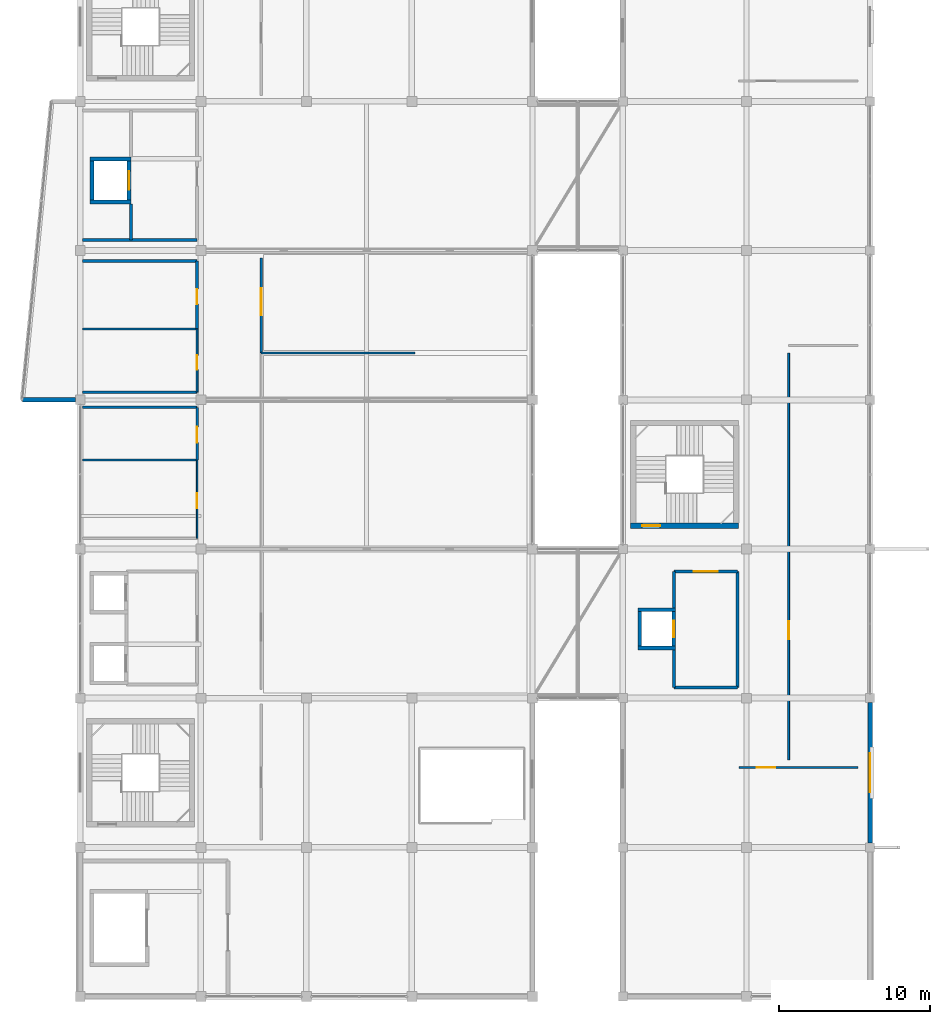
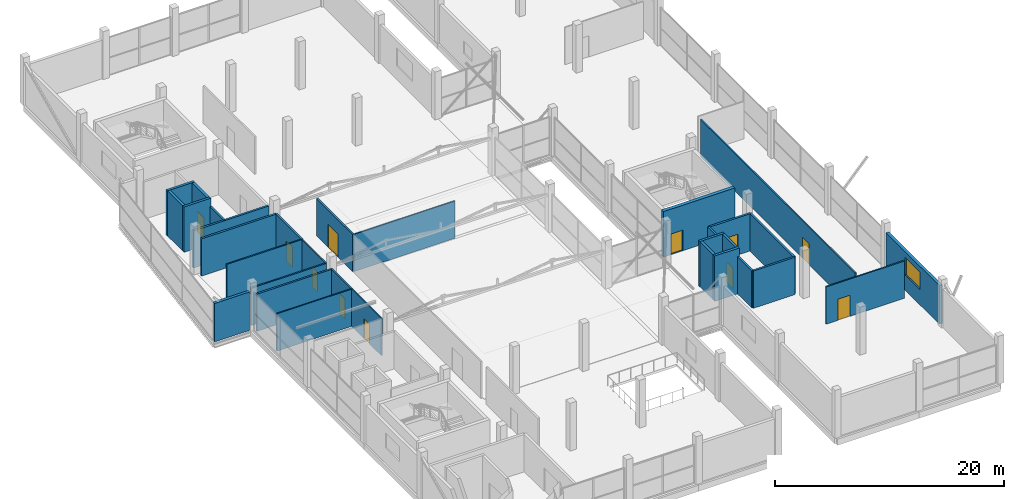
# One storey, part 48 of 58: 31 walls, 11 doors, 1 window, 12 openings.
"""IFC4 building model written with IfcOpenShell, lengths in metres."""

from ifc_helpers import new_model, si_unit, direction, frame, frame_2d, origin, place, context, subcontext, project, spatial, rectangle, extrude, material, layer, layer_set, type_object, element, fill, save


model = new_model("IFC4")

# Units and contexts
model_context = context("Model", 3, precision=1e-05, world=origin(), true_north=direction((0.0, 1.0)))
body_context = subcontext(model_context, "Body", "Model", "MODEL_VIEW")
ifc_project = project(units=[si_unit("LENGTHUNIT", "METRE"), si_unit("AREAUNIT", "SQUARE_METRE"), si_unit("VOLUMEUNIT", "CUBIC_METRE"), si_unit("PLANEANGLEUNIT", "RADIAN"), si_unit("MASSUNIT", "GRAM", prefix="KILO")], contexts=[model_context])

# Site, building, storey
site_placement = place(None, origin())
site = spatial("IfcSite", under=ifc_project, at=site_placement, CompositionType="ELEMENT")
building_placement = place(site_placement, origin())
building = spatial("IfcBuilding", under=site, at=building_placement, Name="Sillaruma Civic Art Gallery", CompositionType="ELEMENT")
storey_placement = place(building_placement, frame((0.0, 0.0, 52.02001953125)))
storey = spatial("IfcBuildingStorey", under=building, at=storey_placement, Name="L10", CompositionType="ELEMENT", Elevation=52.02001953125)

# Wall, opening, door
ifc_material_1 = material(Name="Concrete H40 (40 MPa)", Category="concrete")
ifc_layer_1 = layer(ifc_material_1, 0.35009765625, Name="Concrete H40 (40 MPa)")
ifc_layer_set_1 = layer_set([ifc_layer_1], Name="Concrete H40 (40 MPa)")
wall_type_1 = type_object("IfcWallType", Name="WAL-CORE-350", PredefinedType="SHEAR", material=ifc_layer_set_1)
wall_1_placement = place(storey_placement, frame((98.510009765625, 51.034912109375, 0.0), z_axis=(0.0, 0.0, 1.0), x_axis=(1.0, 0.0, 0.0)))
wall_1 = element("IfcWall", 1, at=wall_1_placement, inside=storey, type_object=wall_type_1, Name="Stair Core Shear Wall W-CORE-350 (ST-04:L10:S)", PredefinedType="SHEAR", context=body_context, shape_type="SweptSolid", body=[
    extrude(rectangle(XDim=7.179931640625, YDim=0.35009765625, at=frame_2d((3.58984375, 0.0))), origin(), (0.0, 0.0, 1.0), 4.85009765625),
])
opening_1_placement = place(wall_1_placement, frame((0.77001953125, 0.0, 0.0)))
opening_1 = element("IfcOpeningElement", 2, at=opening_1_placement, cuts=wall_1, Name="Opening D-STAIR", PredefinedType="OPENING", context=body_context, shape_type="SweptSolid", body=[
    extrude(rectangle(XDim=1.199951171875, YDim=2.199951171875, at=frame_2d((0.60009765625, 1.10009765625))), frame((0.0, 0.18505859375, 0.0), z_axis=(0.0, -1.0, 0.0), x_axis=(1.0, 0.0, 0.0)), (0.0, 0.0, 1.0), 0.3701171875),
])
ifc_material_2 = material(Name="Galvanised Steel ASTM A653 Gr.50", Category="steel")
door_type_1 = type_object("IfcDoorType", Name="DOR-STAIR-120", OperationType="NOTDEFINED", PredefinedType="DOOR", material=ifc_material_2)
door_1_placement = place(opening_1_placement, origin())
door_1 = element("IfcDoor", 3, at=door_1_placement, inside=storey, type_object=door_type_1, Name="Protected Stair Fire Door (ST-04:L10)", OperationType="SINGLE_SWING_RIGHT", OverallHeight=2.199951171875, OverallWidth=1.199951171875, PredefinedType="DOOR", context=body_context, shape_type="SweptSolid", body=[
    extrude(rectangle(XDim=1.199951171875, YDim=2.199951171875, at=frame_2d((0.60009765625, 1.10009765625))), frame((0.0, 0.02490234375, 0.0), z_axis=(0.0, -1.0, 0.0), x_axis=(1.0, 0.0, 0.0)), (0.0, 0.0, 1.0), 0.050048828125),
])
fill(opening_1, door_1)

# Wall
ifc_material_3 = material(Name="Concrete H35 (35 MPa)", Category="concrete")
ifc_layer_2 = layer(ifc_material_3, 0.159912109375, Name="Concrete backup", Category="concrete")
ifc_material_4 = material(Name="Mineral Wool Thermal Insulation", Category="insulation")
ifc_layer_3 = layer(ifc_material_4, 0.090087890625, Name="Thermal insulation", Category="insulation")
ifc_material_5 = material(Name="Anodised Zinc-Aluminium Alloy", Category="aluminium")
ifc_layer_4 = layer(ifc_material_5, 0.030029296875, Name="Rainscreen finish", Category="aluminium")
ifc_layer_set_2 = layer_set([ifc_layer_2, ifc_layer_3, ifc_layer_4], Name="W-EXT-280")
wall_type_2 = type_object("IfcWallType", Name="WAL-EXT-280", PredefinedType="SOLIDWALL", material=ifc_layer_set_2)
wall_2_placement = place(storey_placement, frame((58.14990234375, 59.39990234375, 0.0), z_axis=(0.0, 0.0, 1.0), x_axis=(1.0, 0.0, 0.0)))
element("IfcWall", 4, at=wall_2_placement, inside=storey, type_object=wall_type_2, Name="Exterior Wall W-EXT-280 (EW-PRW-L10-W-S3)", PredefinedType="SOLIDWALL", context=body_context, shape_type="SweptSolid", body=[
    extrude(rectangle(XDim=3.525146484375, YDim=0.280029296875, at=frame_2d((1.7626953125, 0.0))), origin(), (0.0, 0.0, 1.0), 4.10009765625),
])

# Wall, opening, window
ifc_material_6 = material(Name="Precast Concrete H35 (35 MPa)", Category="concrete")
ifc_layer_5 = layer(ifc_material_6, 0.179931640625, Name="Precast backup", Category="concrete")
ifc_layer_6 = layer(ifc_material_4, 0.090087890625, Name="Thermal insulation", Category="insulation")
ifc_material_7 = material(Name="Comanche Granitic Ashlar Stone", Category="masonry")
ifc_layer_7 = layer(ifc_material_7, 0.030029296875, Name="Rainscreen cladding", Category="masonry")
ifc_layer_set_3 = layer_set([ifc_layer_5, ifc_layer_6, ifc_layer_7], Name="W-EXT-300")
wall_type_3 = type_object("IfcWallType", Name="WAL-EXT-300", PredefinedType="SOLIDWALL", material=ifc_layer_set_3)
wall_3_placement = place(storey_placement, frame((114.39990234375, 30.0, 0.0), z_axis=(0.0, 0.0, 1.0), x_axis=(0.0, 1.0, 0.0)))
wall_3 = element("IfcWall", 5, at=wall_3_placement, inside=storey, type_object=wall_type_3, Name="Exterior Wall W-EXT-300 (EW-L10-EBE-2)", PredefinedType="SOLIDWALL", context=body_context, shape_type="SweptSolid", body=[
    extrude(rectangle(XDim=9.300048828125, YDim=0.300048828125, at=frame_2d((4.64990234375, 0.0))), origin(), (0.0, 0.0, 1.0), 4.10009765625),
])
opening_2_placement = place(wall_3_placement, frame((3.35009765625, 0.0, 1.64990234375)))
opening_2 = element("IfcOpeningElement", 6, at=opening_2_placement, cuts=wall_3, Name="Opening WN-08", PredefinedType="OPENING", context=body_context, shape_type="SweptSolid", body=[
    extrude(rectangle(XDim=2.60009765625, YDim=1.85009765625, at=frame_2d((1.300048828125, 0.925048828125))), frame((0.0, 0.159912109375, 0.0), z_axis=(0.0, -1.0, 0.0), x_axis=(1.0, 0.0, 0.0)), (0.0, 0.0, 1.0), 0.320068359375),
])
ifc_material_8 = material(Name="Thermally Broken Extruded Aluminium 6063-T6", Category="aluminium")
window_type = type_object("IfcWindowType", Name="WIN-W08", PartitioningType="SINGLE_PANEL", PredefinedType="WINDOW", material=ifc_material_8)
window_placement = place(opening_2_placement, origin())
window = element("IfcWindow", 7, at=window_placement, inside=storey, type_object=window_type, Name="Window WN-08 (EW-L10-EBE-2-1)", OverallHeight=1.85009765625, OverallWidth=2.60009765625, PartitioningType="SINGLE_PANEL", PredefinedType="WINDOW", context=body_context, shape_type="SweptSolid", body=[
    extrude(rectangle(XDim=2.60009765625, YDim=1.85009765625, at=frame_2d((1.300048828125, 0.925048828125))), frame((0.0, 0.030029296875, 0.0), z_axis=(0.0, -1.0, 0.0), x_axis=(1.0, 0.0, 0.0)), (0.0, 0.0, 1.0), 0.06005859375),
])
fill(opening_2, window)

# Walls
ifc_material_9 = material(Name="Concrete Masonry Unit Grade M15", Category="masonry")
ifc_layer_8 = layer(ifc_material_9, 0.199951171875, Name="Concrete Masonry Unit Grade M15")
ifc_layer_set_4 = layer_set([ifc_layer_8], Name="Concrete Masonry Unit Grade M15")
wall_type_4 = type_object("IfcWallType", Name="WAL-LOBBY-200", PredefinedType="SOLIDWALL", material=ifc_layer_set_4)
wall_4_placement = place(storey_placement, frame((62.14990234375, 70.0, 0.0), z_axis=(0.0, 0.0, 1.0), x_axis=(1.0, 0.0, 0.0)))
element("IfcWall", 8, at=wall_4_placement, inside=storey, type_object=wall_type_4, Name="Interior Wall W-LOBBY-200 (L10-FFL)", PredefinedType="SOLIDWALL", context=body_context, shape_type="SweptSolid", body=[
    extrude(rectangle(XDim=7.60009765625, YDim=0.199951171875, at=frame_2d((3.800048828125, 0.0))), origin(), (0.0, 0.0, 1.0), 3.969970703125),
])
wall_5_placement = place(storey_placement, frame((65.35009765625, 70.0, 0.0), z_axis=(0.0, 0.0, 1.0), x_axis=(0.0, 1.0, 0.0)))
element("IfcWall", 9, at=wall_5_placement, inside=storey, type_object=wall_type_4, Name="Interior Wall W-LOBBY-200 (L10-FFL)", PredefinedType="SOLIDWALL", context=body_context, shape_type="SweptSolid", body=[
    extrude(rectangle(XDim=2.39990234375, YDim=0.199951171875, at=frame_2d((1.199951171875, 0.0))), origin(), (0.0, 0.0, 1.0), 3.969970703125),
])
wall_6_placement = place(storey_placement, frame((62.14990234375, 68.60009765625, 0.0), z_axis=(0.0, 0.0, 1.0), x_axis=(1.0, 0.0, 0.0)))
element("IfcWall", 10, at=wall_6_placement, inside=storey, type_object=wall_type_4, Name="Interior Wall W-LOBBY-200 (L10-RSR)", PredefinedType="SOLIDWALL", context=body_context, shape_type="SweptSolid", body=[
    extrude(rectangle(XDim=7.60009765625, YDim=0.199951171875, at=frame_2d((3.800048828125, 0.0))), origin(), (0.0, 0.0, 1.0), 3.969970703125),
])

# Wall, opening, door
wall_7_placement = place(storey_placement, frame((69.75, 64.10009765625, 0.0), z_axis=(0.0, 0.0, 1.0), x_axis=(0.0, 1.0, 0.0)))
wall_7 = element("IfcWall", 11, at=wall_7_placement, inside=storey, type_object=wall_type_4, Name="Interior Wall W-LOBBY-200 (L10-RSR)", PredefinedType="SOLIDWALL", context=body_context, shape_type="SweptSolid", body=[
    extrude(rectangle(XDim=4.5, YDim=0.199951171875, at=frame_2d((2.25, 0.0))), origin(), (0.0, 0.0, 1.0), 3.969970703125),
])
opening_3_placement = place(wall_7_placement, frame((1.64990234375, 0.0, 0.0)))
opening_3 = element("IfcOpeningElement", 12, at=opening_3_placement, cuts=wall_7, Name="Opening D-RISER", PredefinedType="OPENING", context=body_context, shape_type="SweptSolid", body=[
    extrude(rectangle(XDim=1.0, YDim=2.14990234375, at=frame_2d((0.5, 1.074951171875))), frame((0.0, 0.10986328125, 0.0), z_axis=(0.0, -1.0, 0.0), x_axis=(1.0, 0.0, 0.0)), (0.0, 0.0, 1.0), 0.219970703125),
])
door_type_2 = type_object("IfcDoorType", Name="DOR-RISER-100", OperationType="NOTDEFINED", PredefinedType="DOOR", material=ifc_material_2)
door_2_placement = place(opening_3_placement, origin())
door_2 = element("IfcDoor", 13, at=door_2_placement, inside=storey, type_object=door_type_2, Name="MEP Service Riser Door (D-RISER)", OperationType="SINGLE_SWING_RIGHT", OverallHeight=2.14990234375, OverallWidth=1.0, PredefinedType="DOOR", context=body_context, shape_type="SweptSolid", body=[
    extrude(rectangle(XDim=1.0, YDim=2.14990234375, at=frame_2d((0.5, 1.074951171875))), frame((0.0, 0.02490234375, 0.0), z_axis=(0.0, -1.0, 0.0), x_axis=(1.0, 0.0, 0.0)), (0.0, 0.0, 1.0), 0.050048828125),
])
fill(opening_3, door_2)

# Walls
wall_8_placement = place(storey_placement, frame((101.39990234375, 40.300048828125, 0.0), z_axis=(0.0, 0.0, 1.0), x_axis=(1.0, 0.0, 0.0)))
element("IfcWall", 14, at=wall_8_placement, inside=storey, type_object=wall_type_4, Name="Interior Wall W-LOBBY-200 (L10-LLE)", PredefinedType="SOLIDWALL", context=body_context, shape_type="SweptSolid", body=[
    extrude(rectangle(XDim=4.2001953125, YDim=0.199951171875, at=frame_2d((2.10009765625, 0.0))), origin(), (0.0, 0.0, 1.0), 3.969970703125),
])
wall_9_placement = place(storey_placement, frame((101.39990234375, 40.300048828125, 0.0), z_axis=(0.0, 0.0, 1.0), x_axis=(0.0, 1.0, 0.0)))
element("IfcWall", 15, at=wall_9_placement, inside=storey, type_object=wall_type_4, Name="Interior Wall W-LOBBY-200 (L10-LLE)", PredefinedType="SOLIDWALL", context=body_context, shape_type="SweptSolid", body=[
    extrude(rectangle(XDim=2.5, YDim=0.199951171875, at=frame_2d((1.25, 0.0))), origin(), (0.0, 0.0, 1.0), 3.969970703125),
])
wall_10_placement = place(storey_placement, frame((101.39990234375, 45.60009765625, 0.0), z_axis=(0.0, 0.0, 1.0), x_axis=(0.0, 1.0, 0.0)))
element("IfcWall", 16, at=wall_10_placement, inside=storey, type_object=wall_type_4, Name="Interior Wall W-LOBBY-200 (L10-LLE)", PredefinedType="SOLIDWALL", context=body_context, shape_type="SweptSolid", body=[
    extrude(rectangle(XDim=2.39990234375, YDim=0.199951171875, at=frame_2d((1.199951171875, 0.0))), origin(), (0.0, 0.0, 1.0), 3.969970703125),
])
wall_11_placement = place(storey_placement, frame((105.60009765625, 40.300048828125, 0.0), z_axis=(0.0, 0.0, 1.0), x_axis=(0.0, 1.0, 0.0)))
element("IfcWall", 17, at=wall_11_placement, inside=storey, type_object=wall_type_4, Name="Interior Wall W-LOBBY-200 (L10-LLE)", PredefinedType="SOLIDWALL", context=body_context, shape_type="SweptSolid", body=[
    extrude(rectangle(XDim=7.699951171875, YDim=0.199951171875, at=frame_2d((3.85009765625, 0.0))), origin(), (0.0, 0.0, 1.0), 3.969970703125),
])

# Wall, opening, door
wall_12_placement = place(storey_placement, frame((101.39990234375, 48.0, 0.0), z_axis=(0.0, 0.0, 1.0), x_axis=(1.0, 0.0, 0.0)))
wall_12 = element("IfcWall", 18, at=wall_12_placement, inside=storey, type_object=wall_type_4, Name="Interior Wall W-LOBBY-200 (L10-LLE)", PredefinedType="SOLIDWALL", context=body_context, shape_type="SweptSolid", body=[
    extrude(rectangle(XDim=4.2001953125, YDim=0.199951171875, at=frame_2d((2.10009765625, 0.0))), origin(), (0.0, 0.0, 1.0), 3.969970703125),
])
opening_4_placement = place(wall_12_placement, frame((1.300048828125, 0.0, 0.0)))
opening_4 = element("IfcOpeningElement", 19, at=opening_4_placement, cuts=wall_12, Name="Opening D-LOBBY", PredefinedType="OPENING", context=body_context, shape_type="SweptSolid", body=[
    extrude(rectangle(XDim=1.60009765625, YDim=2.199951171875, at=frame_2d((0.800048828125, 1.10009765625))), frame((0.0, 0.10986328125, 0.0), z_axis=(0.0, -1.0, 0.0), x_axis=(1.0, 0.0, 0.0)), (0.0, 0.0, 1.0), 0.219970703125),
])
door_type_3 = type_object("IfcDoorType", Name="DOR-LOBBY-160", OperationType="NOTDEFINED", PredefinedType="DOOR", material=ifc_material_8)
door_3_placement = place(opening_4_placement, origin())
door_3 = element("IfcDoor", 20, at=door_3_placement, inside=storey, type_object=door_type_3, Name="East Lift Lobby Door (D-LOBBY)", OperationType="DOUBLE_DOOR_SINGLE_SWING", OverallHeight=2.199951171875, OverallWidth=1.60009765625, PredefinedType="DOOR", context=body_context, shape_type="SweptSolid", body=[
    extrude(rectangle(XDim=1.60009765625, YDim=2.199951171875, at=frame_2d((0.800048828125, 1.10009765625))), frame((0.0, 0.02490234375, 0.0), z_axis=(0.0, -1.0, 0.0), x_axis=(1.0, 0.0, 0.0)), (0.0, 0.0, 1.0), 0.050048828125),
])
fill(opening_4, door_3)

ifc_material_10 = material(Name="Gypsum Acoustic Board", Category="gypsum")
ifc_layer_9 = layer(ifc_material_10, 0.02490234375, Name="Finish board", Category="gypsum")
ifc_layer_10 = layer(ifc_material_4, 0.06005859375, Name="Acoustic core", Category="insulation")
ifc_material_11 = material(Name="Andean Oak Timber", Category="wood")
ifc_layer_11 = layer(ifc_material_11, 0.02490234375, Name="Gallery lining", Category="wood")
ifc_layer_set_5 = layer_set([ifc_layer_9, ifc_layer_10, ifc_layer_11], Name="W-PT-110")
wall_type_5 = type_object("IfcWallType", Name="WAL-PART-110", PredefinedType="PARTITIONING", material=ifc_layer_set_5)
wall_13_placement = place(storey_placement, frame((69.75, 50.199951171875, 0.0), z_axis=(0.0, 0.0, 1.0), x_axis=(0.0, 1.0, 0.0)))
wall_13 = element("IfcWall", 21, at=wall_13_placement, inside=storey, type_object=wall_type_5, Name="Interior Wall W-PT-110 (L10-WC1)", PredefinedType="PARTITIONING", context=body_context, shape_type="SweptSolid", body=[
    extrude(rectangle(XDim=5.199951171875, YDim=0.110107421875, at=frame_2d((2.60009765625, 0.0))), origin(), (0.0, 0.0, 1.0), 3.969970703125),
])
opening_5_placement = place(wall_13_placement, frame((2.0, 0.0, 0.0)))
opening_5 = element("IfcOpeningElement", 22, at=opening_5_placement, cuts=wall_13, Name="Opening D-WC10", PredefinedType="OPENING", context=body_context, shape_type="SweptSolid", body=[
    extrude(rectangle(XDim=1.0, YDim=2.10009765625, at=frame_2d((0.5, 1.050048828125))), frame((0.0, 0.06494140625, 0.0), z_axis=(0.0, -1.0, 0.0), x_axis=(1.0, 0.0, 0.0)), (0.0, 0.0, 1.0), 0.130126953125),
])
door_type_4 = type_object("IfcDoorType", Name="DOR-WC-100", OperationType="NOTDEFINED", PredefinedType="DOOR", material=ifc_material_11)
door_4_placement = place(opening_5_placement, origin())
door_4 = element("IfcDoor", 23, at=door_4_placement, inside=storey, type_object=door_type_4, Name="Public WC Door (D-WC10)", OperationType="SINGLE_SWING_LEFT", OverallHeight=2.10009765625, OverallWidth=1.0, PredefinedType="DOOR", context=body_context, shape_type="SweptSolid", body=[
    extrude(rectangle(XDim=1.0, YDim=2.10009765625, at=frame_2d((0.5, 1.050048828125))), frame((0.0, 0.02490234375, 0.0), z_axis=(0.0, -1.0, 0.0), x_axis=(1.0, 0.0, 0.0)), (0.0, 0.0, 1.0), 0.050048828125),
])
fill(opening_5, door_4)

# Walls
ifc_layer_12 = layer(ifc_material_10, 0.02490234375, Name="Finish board", Category="gypsum")
ifc_layer_13 = layer(ifc_material_4, 0.070068359375, Name="Acoustic core", Category="insulation")
ifc_layer_14 = layer(ifc_material_11, 0.02490234375, Name="Gallery lining", Category="wood")
ifc_layer_set_6 = layer_set([ifc_layer_12, ifc_layer_13, ifc_layer_14], Name="W-PT-120")
wall_type_6 = type_object("IfcWallType", Name="WAL-PART-120", PredefinedType="PARTITIONING", material=ifc_layer_set_6)
wall_14_placement = place(storey_placement, frame((62.14990234375, 55.39990234375, 0.0), z_axis=(0.0, 0.0, 1.0), x_axis=(1.0, 0.0, 0.0)))
element("IfcWall", 24, at=wall_14_placement, inside=storey, type_object=wall_type_6, Name="Interior Wall W-PT-120 (L10-WC1)", PredefinedType="PARTITIONING", context=body_context, shape_type="SweptSolid", body=[
    extrude(rectangle(XDim=7.60009765625, YDim=0.1201171875, at=frame_2d((3.800048828125, 0.0))), origin(), (0.0, 0.0, 1.0), 3.969970703125),
])
wall_15_placement = place(storey_placement, frame((74.0, 62.5, 0.0), z_axis=(0.0, 0.0, 1.0), x_axis=(1.0, 0.0, 0.0)))
element("IfcWall", 25, at=wall_15_placement, inside=storey, type_object=wall_type_6, Name="Interior Wall W-PT-120 (L10-GALW1)", PredefinedType="PARTITIONING", context=body_context, shape_type="SweptSolid", body=[
    extrude(rectangle(XDim=10.199951171875, YDim=0.1201171875, at=frame_2d((5.10009765625, 0.0))), origin(), (0.0, 0.0, 1.0), 3.969970703125),
])

# Wall, opening, door
ifc_layer_15 = layer(ifc_material_10, 0.02490234375, Name="Finish board", Category="gypsum")
ifc_layer_16 = layer(ifc_material_4, 0.080078125, Name="Acoustic core", Category="insulation")
ifc_layer_17 = layer(ifc_material_11, 0.02490234375, Name="Gallery lining", Category="wood")
ifc_layer_set_7 = layer_set([ifc_layer_15, ifc_layer_16, ifc_layer_17], Name="W-PT-130")
wall_type_7 = type_object("IfcWallType", Name="WAL-PART-130", PredefinedType="PARTITIONING", material=ifc_layer_set_7)
wall_16_placement = place(storey_placement, frame((69.75, 59.89990234375, 0.0), z_axis=(0.0, 0.0, 1.0), x_axis=(0.0, 1.0, 0.0)))
wall_16 = element("IfcWall", 26, at=wall_16_placement, inside=storey, type_object=wall_type_7, Name="Interior Wall W-PT-130 (L10-CLN)", PredefinedType="PARTITIONING", context=body_context, shape_type="SweptSolid", body=[
    extrude(rectangle(XDim=4.2001953125, YDim=0.1298828125, at=frame_2d((2.10009765625, 0.0))), origin(), (0.0, 0.0, 1.0), 3.969970703125),
])
opening_6_placement = place(wall_16_placement, frame((1.5, 0.0, 0.0)))
opening_6 = element("IfcOpeningElement", 27, at=opening_6_placement, cuts=wall_16, Name="Opening D-SVC09", PredefinedType="OPENING", context=body_context, shape_type="SweptSolid", body=[
    extrude(rectangle(XDim=0.949951171875, YDim=2.10009765625, at=frame_2d((0.47509765625, 1.050048828125))), frame((0.0, 0.074951171875, 0.0), z_axis=(0.0, -1.0, 0.0), x_axis=(1.0, 0.0, 0.0)), (0.0, 0.0, 1.0), 0.14990234375),
])
door_type_5 = type_object("IfcDoorType", Name="DOR-SVC-095", OperationType="NOTDEFINED", PredefinedType="DOOR", material=ifc_material_11)
door_5_placement = place(opening_6_placement, origin())
door_5 = element("IfcDoor", 28, at=door_5_placement, inside=storey, type_object=door_type_5, Name="Cleaner Store Door (D-SVC09)", OperationType="SINGLE_SWING_LEFT", OverallHeight=2.10009765625, OverallWidth=0.949951171875, PredefinedType="DOOR", context=body_context, shape_type="SweptSolid", body=[
    extrude(rectangle(XDim=0.949951171875, YDim=2.10009765625, at=frame_2d((0.47509765625, 1.050048828125))), frame((0.0, 0.02490234375, 0.0), z_axis=(0.0, -1.0, 0.0), x_axis=(1.0, 0.0, 0.0)), (0.0, 0.0, 1.0), 0.050048828125),
])
fill(opening_6, door_5)

wall_17_placement = place(storey_placement, frame((109.0, 35.5, 0.0), z_axis=(0.0, 0.0, 1.0), x_axis=(0.0, 1.0, 0.0)))
wall_17 = element("IfcWall", 29, at=wall_17_placement, inside=storey, type_object=wall_type_7, Name="Interior Wall W-PT-130 (L10-STDE2)", PredefinedType="PARTITIONING", context=body_context, shape_type="SweptSolid", body=[
    extrude(rectangle(XDim=27.0, YDim=0.1298828125, at=frame_2d((13.5, 0.0))), origin(), (0.0, 0.0, 1.0), 3.969970703125),
])
opening_7_placement = place(wall_17_placement, frame((8.0, 0.0, 0.0)))
opening_7 = element("IfcOpeningElement", 30, at=opening_7_placement, cuts=wall_17, Name="Opening D-STD12", PredefinedType="OPENING", context=body_context, shape_type="SweptSolid", body=[
    extrude(rectangle(XDim=1.199951171875, YDim=2.25, at=frame_2d((0.60009765625, 1.125))), frame((0.0, 0.074951171875, 0.0), z_axis=(0.0, -1.0, 0.0), x_axis=(1.0, 0.0, 0.0)), (0.0, 0.0, 1.0), 0.14990234375),
])
door_type_6 = type_object("IfcDoorType", Name="DOR-STD-120", OperationType="NOTDEFINED", PredefinedType="DOOR", material=ifc_material_11)
door_6_placement = place(opening_7_placement, origin())
door_6 = element("IfcDoor", 31, at=door_6_placement, inside=storey, type_object=door_type_6, Name="East Wing Central Artist Studio (L10) Door (D-STD12)", OperationType="SINGLE_SWING_RIGHT", OverallHeight=2.25, OverallWidth=1.199951171875, PredefinedType="DOOR", context=body_context, shape_type="SweptSolid", body=[
    extrude(rectangle(XDim=1.199951171875, YDim=2.25, at=frame_2d((0.60009765625, 1.125))), frame((0.0, 0.02490234375, 0.0), z_axis=(0.0, -1.0, 0.0), x_axis=(1.0, 0.0, 0.0)), (0.0, 0.0, 1.0), 0.050048828125),
])
fill(opening_7, door_6)

# Wall
ifc_layer_18 = layer(ifc_material_10, 0.02490234375, Name="Finish board", Category="gypsum")
ifc_layer_19 = layer(ifc_material_4, 0.090087890625, Name="Acoustic core", Category="insulation")
ifc_layer_20 = layer(ifc_material_11, 0.02490234375, Name="Gallery lining", Category="wood")
ifc_layer_set_8 = layer_set([ifc_layer_18, ifc_layer_19, ifc_layer_20], Name="W-PT-140")
wall_type_8 = type_object("IfcWallType", Name="WAL-PART-140", PredefinedType="PARTITIONING", material=ifc_layer_set_8)
wall_18_placement = place(storey_placement, frame((62.14990234375, 64.10009765625, 0.0), z_axis=(0.0, 0.0, 1.0), x_axis=(1.0, 0.0, 0.0)))
element("IfcWall", 32, at=wall_18_placement, inside=storey, type_object=wall_type_8, Name="Interior Wall W-PT-140 (L10-CLN)", PredefinedType="PARTITIONING", context=body_context, shape_type="SweptSolid", body=[
    extrude(rectangle(XDim=7.60009765625, YDim=0.139892578125, at=frame_2d((3.800048828125, 0.0))), origin(), (0.0, 0.0, 1.0), 3.969970703125),
])

# Wall, opening, door
wall_19_placement = place(storey_placement, frame((105.699951171875, 35.0, 0.0), z_axis=(0.0, 0.0, 1.0), x_axis=(1.0, 0.0, 0.0)))
wall_19 = element("IfcWall", 33, at=wall_19_placement, inside=storey, type_object=wall_type_8, Name="Interior Wall W-PT-140 (L10-STDE1)", PredefinedType="PARTITIONING", context=body_context, shape_type="SweptSolid", body=[
    extrude(rectangle(XDim=7.900146484375, YDim=0.139892578125, at=frame_2d((3.9501953125, 0.0))), origin(), (0.0, 0.0, 1.0), 3.969970703125),
])
opening_8_placement = place(wall_19_placement, frame((1.199951171875, 0.0, 0.0)))
opening_8 = element("IfcOpeningElement", 34, at=opening_8_placement, cuts=wall_19, Name="Opening D-STD12", PredefinedType="OPENING", context=body_context, shape_type="SweptSolid", body=[
    extrude(rectangle(XDim=1.199951171875, YDim=2.25, at=frame_2d((0.60009765625, 1.125))), frame((0.0, 0.079833984375, 0.0), z_axis=(0.0, -1.0, 0.0), x_axis=(1.0, 0.0, 0.0)), (0.0, 0.0, 1.0), 0.159912109375),
])
door_7_placement = place(opening_8_placement, origin())
door_7 = element("IfcDoor", 35, at=door_7_placement, inside=storey, type_object=door_type_6, Name="East Wing South Artist Studio (L10) Door (D-STD12)", OperationType="SINGLE_SWING_LEFT", OverallHeight=2.25, OverallWidth=1.199951171875, PredefinedType="DOOR", context=body_context, shape_type="SweptSolid", body=[
    extrude(rectangle(XDim=1.199951171875, YDim=2.25, at=frame_2d((0.60009765625, 1.125))), frame((0.0, 0.02490234375, 0.0), z_axis=(0.0, -1.0, 0.0), x_axis=(1.0, 0.0, 0.0)), (0.0, 0.0, 1.0), 0.050048828125),
])
fill(opening_8, door_7)

# Wall
ifc_layer_21 = layer(ifc_material_10, 0.02490234375, Name="Finish board", Category="gypsum")
ifc_layer_22 = layer(ifc_material_4, 0.10009765625, Name="Acoustic core", Category="insulation")
ifc_layer_23 = layer(ifc_material_11, 0.02490234375, Name="Gallery lining", Category="wood")
ifc_layer_set_9 = layer_set([ifc_layer_21, ifc_layer_22, ifc_layer_23], Name="W-PT-150")
wall_type_9 = type_object("IfcWallType", Name="WAL-PART-150", PredefinedType="PARTITIONING", material=ifc_layer_set_9)
wall_20_placement = place(storey_placement, frame((62.14990234375, 59.89990234375, 0.0), z_axis=(0.0, 0.0, 1.0), x_axis=(1.0, 0.0, 0.0)))
element("IfcWall", 36, at=wall_20_placement, inside=storey, type_object=wall_type_9, Name="Interior Wall W-PT-150 (L10-CLN)", PredefinedType="PARTITIONING", context=body_context, shape_type="SweptSolid", body=[
    extrude(rectangle(XDim=7.60009765625, YDim=0.14990234375, at=frame_2d((3.800048828125, 0.0))), origin(), (0.0, 0.0, 1.0), 3.969970703125),
])

# Wall, opening, door
ifc_layer_24 = layer(ifc_material_10, 0.02490234375, Name="Finish board", Category="gypsum")
ifc_layer_25 = layer(ifc_material_4, 0.114990234375, Name="Acoustic core", Category="insulation")
ifc_layer_26 = layer(ifc_material_11, 0.02490234375, Name="Gallery lining", Category="wood")
ifc_layer_set_10 = layer_set([ifc_layer_24, ifc_layer_25, ifc_layer_26], Name="W-PT-165")
wall_type_10 = type_object("IfcWallType", Name="WAL-PART-165", PredefinedType="PARTITIONING", material=ifc_layer_set_10)
wall_21_placement = place(storey_placement, frame((69.75, 55.39990234375, 0.0), z_axis=(0.0, 0.0, 1.0), x_axis=(0.0, 1.0, 0.0)))
wall_21 = element("IfcWall", 37, at=wall_21_placement, inside=storey, type_object=wall_type_10, Name="Interior Wall W-PT-165 (L10-WCA)", PredefinedType="PARTITIONING", context=body_context, shape_type="SweptSolid", body=[
    extrude(rectangle(XDim=3.5, YDim=0.1650390625, at=frame_2d((1.75, 0.0))), origin(), (0.0, 0.0, 1.0), 3.969970703125),
])
opening_9_placement = place(wall_21_placement, frame((1.14990234375, 0.0, 0.0)))
opening_9 = element("IfcOpeningElement", 38, at=opening_9_placement, cuts=wall_21, Name="Opening D-AWC10", PredefinedType="OPENING", context=body_context, shape_type="SweptSolid", body=[
    extrude(rectangle(XDim=1.050048828125, YDim=2.14990234375, at=frame_2d((0.52490234375, 1.074951171875))), frame((0.0, 0.092529296875, 0.0), z_axis=(0.0, -1.0, 0.0), x_axis=(1.0, 0.0, 0.0)), (0.0, 0.0, 1.0), 0.18505859375),
])
door_type_7 = type_object("IfcDoorType", Name="DOR-AWC-105", OperationType="NOTDEFINED", PredefinedType="DOOR", material=ifc_material_11)
door_8_placement = place(opening_9_placement, origin())
door_8 = element("IfcDoor", 39, at=door_8_placement, inside=storey, type_object=door_type_7, Name="Accessible WC Door (D-AWC10)", OperationType="SINGLE_SWING_RIGHT", OverallHeight=2.14990234375, OverallWidth=1.050048828125, PredefinedType="DOOR", context=body_context, shape_type="SweptSolid", body=[
    extrude(rectangle(XDim=1.050048828125, YDim=2.14990234375, at=frame_2d((0.52490234375, 1.074951171875))), frame((0.0, 0.02490234375, 0.0), z_axis=(0.0, -1.0, 0.0), x_axis=(1.0, 0.0, 0.0)), (0.0, 0.0, 1.0), 0.050048828125),
])
fill(opening_9, door_8)

# Wall
ifc_layer_27 = layer(ifc_material_10, 0.02490234375, Name="Finish board", Category="gypsum")
ifc_layer_28 = layer(ifc_material_4, 0.1298828125, Name="Acoustic core", Category="insulation")
ifc_layer_29 = layer(ifc_material_11, 0.02490234375, Name="Gallery lining", Category="wood")
ifc_layer_set_11 = layer_set([ifc_layer_27, ifc_layer_28, ifc_layer_29], Name="W-PT-180")
wall_type_11 = type_object("IfcWallType", Name="WAL-PART-180", PredefinedType="PARTITIONING", material=ifc_layer_set_11)
wall_22_placement = place(storey_placement, frame((62.14990234375, 58.89990234375, 0.0), z_axis=(0.0, 0.0, 1.0), x_axis=(1.0, 0.0, 0.0)))
element("IfcWall", 40, at=wall_22_placement, inside=storey, type_object=wall_type_11, Name="Interior Wall W-PT-180 (L10-WCA)", PredefinedType="PARTITIONING", context=body_context, shape_type="SweptSolid", body=[
    extrude(rectangle(XDim=7.60009765625, YDim=0.179931640625, at=frame_2d((3.800048828125, 0.0))), origin(), (0.0, 0.0, 1.0), 3.969970703125),
])

# Wall, opening, door
wall_23_placement = place(storey_placement, frame((74.0, 62.5, 0.0), z_axis=(0.0, 0.0, 1.0), x_axis=(0.0, 1.0, 0.0)))
wall_23 = element("IfcWall", 41, at=wall_23_placement, inside=storey, type_object=wall_type_11, Name="Interior Wall W-PT-180 (L10-GALW2)", PredefinedType="PARTITIONING", context=body_context, shape_type="SweptSolid", body=[
    extrude(rectangle(XDim=6.300048828125, YDim=0.179931640625, at=frame_2d((3.14990234375, 0.0))), origin(), (0.0, 0.0, 1.0), 3.969970703125),
])
opening_10_placement = place(wall_23_placement, frame((2.5, 0.0, 0.0)))
opening_10 = element("IfcOpeningElement", 42, at=opening_10_placement, cuts=wall_23, Name="Opening D-GAL18", PredefinedType="OPENING", context=body_context, shape_type="SweptSolid", body=[
    extrude(rectangle(XDim=1.800048828125, YDim=2.449951171875, at=frame_2d((0.89990234375, 1.22509765625))), frame((0.0, 0.099853515625, 0.0), z_axis=(0.0, -1.0, 0.0), x_axis=(1.0, 0.0, 0.0)), (0.0, 0.0, 1.0), 0.199951171875),
])
door_type_8 = type_object("IfcDoorType", Name="DOR-GAL-180", OperationType="NOTDEFINED", PredefinedType="DOOR", material=ifc_material_11)
door_9_placement = place(opening_10_placement, origin())
door_9 = element("IfcDoor", 43, at=door_9_placement, inside=storey, type_object=door_type_8, Name="Paired Wing North Gallery (L10) Door (D-GAL18)", OperationType="DOUBLE_DOOR_SINGLE_SWING", OverallHeight=2.449951171875, OverallWidth=1.800048828125, PredefinedType="DOOR", context=body_context, shape_type="SweptSolid", body=[
    extrude(rectangle(XDim=1.800048828125, YDim=2.449951171875, at=frame_2d((0.89990234375, 1.22509765625))), frame((0.0, 0.02490234375, 0.0), z_axis=(0.0, -1.0, 0.0), x_axis=(1.0, 0.0, 0.0)), (0.0, 0.0, 1.0), 0.050048828125),
])
fill(opening_10, door_9)

# Walls
ifc_layer_30 = layer(ifc_material_1, 0.25, Name="Concrete H40 (40 MPa)")
ifc_layer_set_12 = layer_set([ifc_layer_30], Name="Concrete H40 (40 MPa)")
wall_type_12 = type_object("IfcWallType", Name="WAL-SHAFT-250", PredefinedType="SOLIDWALL", material=ifc_layer_set_12)
for number, where, z_axis, x_axis, name in (
    (44, (99.0, 42.925048828125, 0.0), (0.0, 0.0, 1.0), (1.0, 0.0, 0.0), "Lift Shaft Wall W-SHAFT-250 (PL-03:L10:S)"),
    (45, (99.0, 45.47509765625, 0.0), (0.0, 0.0, 1.0), (1.0, 0.0, 0.0), "Lift Shaft Wall W-SHAFT-250 (PL-03:L10:N)"),
):
    element("IfcWall", number, at=place(storey_placement, frame(where, z_axis=z_axis, x_axis=x_axis)), inside=storey, type_object=wall_type_12, Name=name, PredefinedType="SOLIDWALL", context=body_context, shape_type="SweptSolid", body=[
        extrude(rectangle(XDim=2.5, YDim=0.25, at=frame_2d((1.25, 0.0))), origin(), (0.0, 0.0, 1.0), 4.830078125),
    ])
wall_24_placement = place(storey_placement, frame((99.125, 43.050048828125, 0.0), z_axis=(0.0, 0.0, 1.0), x_axis=(0.0, 1.0, 0.0)))
element("IfcWall", 46, at=wall_24_placement, inside=storey, type_object=wall_type_12, Name="Lift Shaft Wall W-SHAFT-250 (PL-03:L10:W)", PredefinedType="SOLIDWALL", context=body_context, shape_type="SweptSolid", body=[
    extrude(rectangle(XDim=2.300048828125, YDim=0.25, at=frame_2d((1.14990234375, 0.0))), origin(), (0.0, 0.0, 1.0), 4.830078125),
])

# Wall, opening, door
wall_25_placement = place(storey_placement, frame((101.375, 43.050048828125, 0.0), z_axis=(0.0, 0.0, 1.0), x_axis=(0.0, 1.0, 0.0)))
wall_25 = element("IfcWall", 47, at=wall_25_placement, inside=storey, type_object=wall_type_12, Name="Lift Shaft Wall W-SHAFT-250 (PL-03:L10:E)", PredefinedType="SOLIDWALL", context=body_context, shape_type="SweptSolid", body=[
    extrude(rectangle(XDim=2.300048828125, YDim=0.25, at=frame_2d((1.14990234375, 0.0))), origin(), (0.0, 0.0, 1.0), 4.830078125),
])
opening_11_placement = place(wall_25_placement, frame((0.60009765625, 0.0, 0.0)))
opening_11 = element("IfcOpeningElement", 48, at=opening_11_placement, cuts=wall_25, Name="Opening LD-01", PredefinedType="OPENING", context=body_context, shape_type="SweptSolid", body=[
    extrude(rectangle(XDim=1.10009765625, YDim=2.199951171875, at=frame_2d((0.550048828125, 1.10009765625))), frame((0.0, 0.135009765625, 0.0), z_axis=(0.0, -1.0, 0.0), x_axis=(1.0, 0.0, 0.0)), (0.0, 0.0, 1.0), 0.27001953125),
])
door_type_9 = type_object("IfcDoorType", Name="DOR-LD-01", OperationType="NOTDEFINED", PredefinedType="DOOR", material=ifc_material_2)
door_10_placement = place(opening_11_placement, origin())
door_10 = element("IfcDoor", 49, at=door_10_placement, inside=storey, type_object=door_type_9, Name="Lift Sliding Landing Door LD-01 (PL-03:L10)", OperationType="DOUBLE_DOOR_SLIDING", OverallHeight=2.199951171875, OverallWidth=1.10009765625, PredefinedType="DOOR", context=body_context, shape_type="SweptSolid", body=[
    extrude(rectangle(XDim=1.10009765625, YDim=2.199951171875, at=frame_2d((0.550048828125, 1.10009765625))), frame((0.0, 0.02490234375, 0.0), z_axis=(0.0, -1.0, 0.0), x_axis=(1.0, 0.0, 0.0)), (0.0, 0.0, 1.0), 0.050048828125),
])
fill(opening_11, door_10)

# Walls
for number, where, z_axis, x_axis, name in (
    (50, (62.64990234375, 72.52490234375, 0.0), (0.0, 0.0, 1.0), (1.0, 0.0, 0.0), "Lift Shaft Wall W-SHAFT-250 (FFL-01:L10:S)"),
    (51, (62.64990234375, 75.375, 0.0), (0.0, 0.0, 1.0), (1.0, 0.0, 0.0), "Lift Shaft Wall W-SHAFT-250 (FFL-01:L10:N)"),
):
    element("IfcWall", number, at=place(storey_placement, frame(where, z_axis=z_axis, x_axis=x_axis)), inside=storey, type_object=wall_type_12, Name=name, PredefinedType="SOLIDWALL", context=body_context, shape_type="SweptSolid", body=[
        extrude(rectangle(XDim=2.7001953125, YDim=0.25, at=frame_2d((1.35009765625, 0.0))), origin(), (0.0, 0.0, 1.0), 4.830078125),
    ])
wall_26_placement = place(storey_placement, frame((62.77490234375, 72.64990234375, 0.0), z_axis=(0.0, 0.0, 1.0), x_axis=(0.0, 1.0, 0.0)))
element("IfcWall", 52, at=wall_26_placement, inside=storey, type_object=wall_type_12, Name="Lift Shaft Wall W-SHAFT-250 (FFL-01:L10:W)", PredefinedType="SOLIDWALL", context=body_context, shape_type="SweptSolid", body=[
    extrude(rectangle(XDim=2.60009765625, YDim=0.25, at=frame_2d((1.300048828125, 0.0))), origin(), (0.0, 0.0, 1.0), 4.830078125),
])

# Wall, opening, door
wall_27_placement = place(storey_placement, frame((65.22509765625, 72.64990234375, 0.0), z_axis=(0.0, 0.0, 1.0), x_axis=(0.0, 1.0, 0.0)))
wall_27 = element("IfcWall", 53, at=wall_27_placement, inside=storey, type_object=wall_type_12, Name="Lift Shaft Wall W-SHAFT-250 (FFL-01:L10:E)", PredefinedType="SOLIDWALL", context=body_context, shape_type="SweptSolid", body=[
    extrude(rectangle(XDim=2.60009765625, YDim=0.25, at=frame_2d((1.300048828125, 0.0))), origin(), (0.0, 0.0, 1.0), 4.830078125),
])
opening_12_placement = place(wall_27_placement, frame((0.675048828125, 0.0, 0.0)))
opening_12 = element("IfcOpeningElement", 54, at=opening_12_placement, cuts=wall_27, Name="Opening LD-02", PredefinedType="OPENING", context=body_context, shape_type="SweptSolid", body=[
    extrude(rectangle(XDim=1.25, YDim=2.199951171875, at=frame_2d((0.625, 1.10009765625))), frame((0.0, 0.135009765625, 0.0), z_axis=(0.0, -1.0, 0.0), x_axis=(1.0, 0.0, 0.0)), (0.0, 0.0, 1.0), 0.27001953125),
])
door_type_10 = type_object("IfcDoorType", Name="DOR-LD-02", OperationType="NOTDEFINED", PredefinedType="DOOR", material=ifc_material_2)
door_11_placement = place(opening_12_placement, origin())
door_11 = element("IfcDoor", 55, at=door_11_placement, inside=storey, type_object=door_type_10, Name="Lift Sliding Landing Door LD-02 (FFL-01:L10)", OperationType="DOUBLE_DOOR_SLIDING", OverallHeight=2.199951171875, OverallWidth=1.25, PredefinedType="DOOR", context=body_context, shape_type="SweptSolid", body=[
    extrude(rectangle(XDim=1.25, YDim=2.199951171875, at=frame_2d((0.625, 1.10009765625))), frame((0.0, 0.02490234375, 0.0), z_axis=(0.0, -1.0, 0.0), x_axis=(1.0, 0.0, 0.0)), (0.0, 0.0, 1.0), 0.050048828125),
])
fill(opening_12, door_11)

save(model, "model.ifc")
